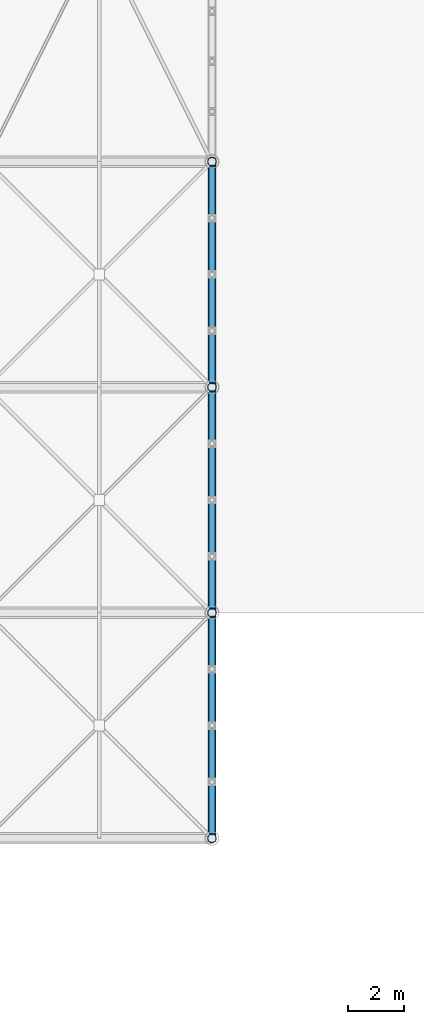
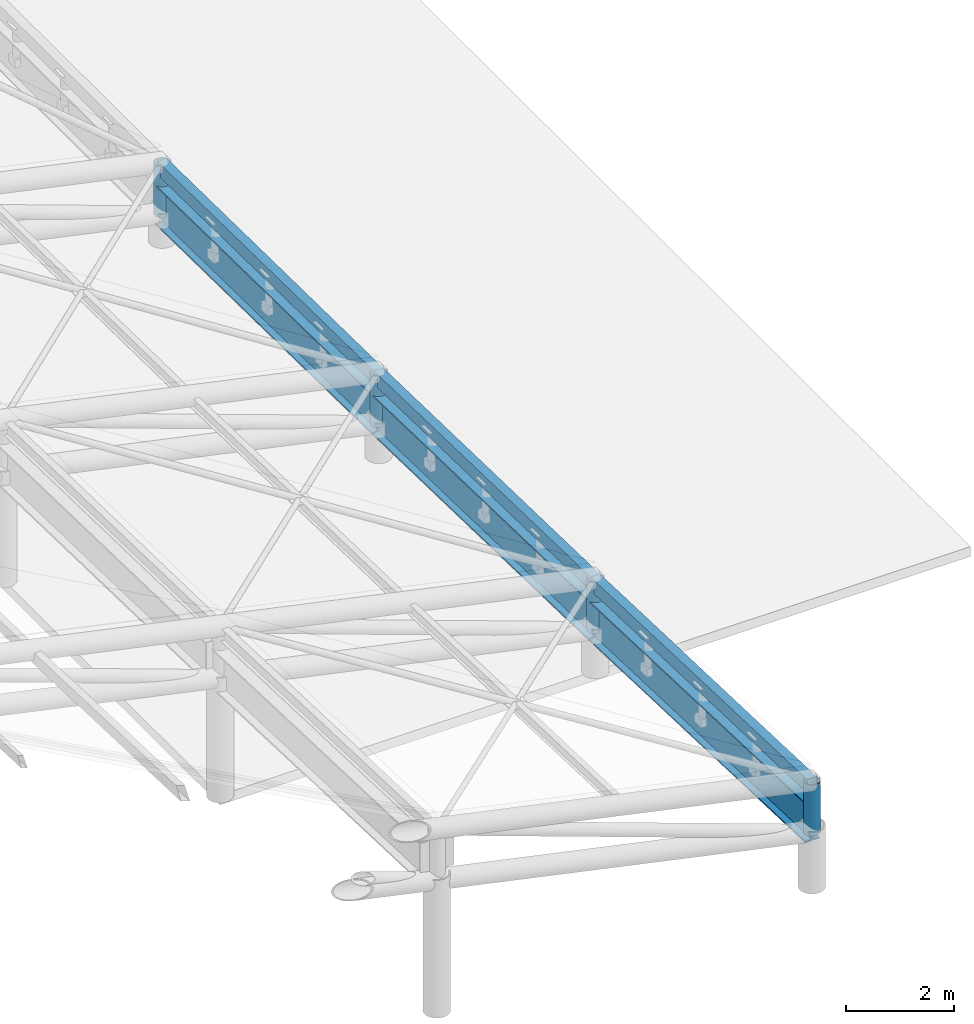
# One storey, part 18 of 41: 6 beams, 4 members.
"""IFC4 building model written with IfcOpenShell, lengths in metres."""

from ifc_helpers import new_model, si_unit, direction, frame, origin, origin_2d, place, context, subcontext, project, spatial, hollow_rectangle, hollow_circle, i_section, extrude, material, material_profile, profile_set, type_object, element, save


model = new_model("IFC4")

# Units and contexts
model_context = context("Model", 3, precision=1e-05, world=origin(), true_north=direction((0.0, 1.0)))
body_context = subcontext(model_context, "Body", "Model", "MODEL_VIEW")
ifc_project = project(units=[si_unit("LENGTHUNIT", "METRE"), si_unit("AREAUNIT", "SQUARE_METRE"), si_unit("VOLUMEUNIT", "CUBIC_METRE"), si_unit("PLANEANGLEUNIT", "RADIAN"), si_unit("MASSUNIT", "GRAM", prefix="KILO")], contexts=[model_context])

# Site, building, storey
site_placement = place(None, origin())
site = spatial("IfcSite", under=ifc_project, at=site_placement, CompositionType="ELEMENT")
building_placement = place(site_placement, origin())
building = spatial("IfcBuilding", under=site, at=building_placement, Name="Haebicheon Civic Stadium", CompositionType="ELEMENT")
storey_placement = place(building_placement, frame((0.0, 0.0, 27.0)))
storey = spatial("IfcBuildingStorey", under=building, at=storey_placement, Name="L07", CompositionType="ELEMENT", Elevation=27.0)

# Beams
ifc_material_1 = material(Name="White painted steel SM490", Category="steel")
ifc_material_profile_1 = material_profile(ifc_material_1, i_section(OverallWidth=0.300048828125, OverallDepth=0.89990234375, WebThickness=0.01611328125, FlangeThickness=0.028076171875, at=origin_2d()), Name="H-900x300x16x28")
ifc_profile_set_1 = profile_set([ifc_material_profile_1], Name="White painted steel SM490")
beam_type_1 = type_object("IfcBeamType", Name="RB-ST-H900B", PredefinedType="USERDEFINED", material=ifc_profile_set_1)
beam_1_placement = place(storey_placement, frame((152.0, 48.0, 1.487060546875), z_axis=(0.0, 0.999347848438, -0.03610924843), x_axis=(-1.0, 0.0, 0.0)))
element("IfcBeam", 1, at=beam_1_placement, inside=storey, type_object=beam_type_1, material=ifc_profile_set_1, Name="CAN-EAST polygonal ring beam RB-BCK bay 1", ObjectType="RING BEAM", PredefinedType="USERDEFINED", context=body_context, shape_type="SweptSolid", body=[
    extrude(i_section(OverallWidth=0.300048828125, OverallDepth=0.89990234375, WebThickness=0.01611328125, FlangeThickness=0.028076171875, at=origin_2d()), origin(), (0.0, 0.0, 1.0), 8.005126953125),
])
beam_2_placement = place(storey_placement, frame((152.0, 56.0, 1.197998046875), z_axis=(0.0, 0.999668457655, -0.025748296456), x_axis=(-1.0, 0.0, 0.0)))
element("IfcBeam", 2, at=beam_2_placement, inside=storey, type_object=beam_type_1, material=ifc_profile_set_1, Name="CAN-EAST polygonal ring beam RB-BCK bay 2", ObjectType="RING BEAM", PredefinedType="USERDEFINED", context=body_context, shape_type="SweptSolid", body=[
    extrude(i_section(OverallWidth=0.300048828125, OverallDepth=0.89990234375, WebThickness=0.01611328125, FlangeThickness=0.028076171875, at=origin_2d()), origin(), (0.0, 0.0, 1.0), 8.002685546875),
])
beam_3_placement = place(storey_placement, frame((152.0, 64.0, 0.991943359375), z_axis=(0.0, 0.999879851243, -0.01550106703), x_axis=(-1.0, 0.0, 0.0)))
element("IfcBeam", 3, at=beam_3_placement, inside=storey, type_object=beam_type_1, material=ifc_profile_set_1, Name="CAN-EAST polygonal ring beam RB-BCK bay 3", ObjectType="RING BEAM", PredefinedType="USERDEFINED", context=body_context, shape_type="SweptSolid", body=[
    extrude(i_section(OverallWidth=0.300048828125, OverallDepth=0.89990234375, WebThickness=0.01611328125, FlangeThickness=0.028076171875, at=origin_2d()), origin(), (0.0, 0.0, 1.0), 8.0009765625),
])
ifc_material_2 = material(Name="White painted steel SM490", Category="steel")
ifc_material_profile_2 = material_profile(ifc_material_2, hollow_rectangle(XDim=0.199951171875, YDim=0.300048828125, WallThickness=0.011962890625, at=origin_2d()), Name="RHS-300x200x12.0")
ifc_profile_set_2 = profile_set([ifc_material_profile_2], Name="White painted steel SM490")
beam_type_2 = type_object("IfcBeamType", Name="RB-ST-RHS300", PredefinedType="USERDEFINED", material=ifc_profile_set_2)
beam_4_placement = place(storey_placement, frame((152.0, 48.0, 2.287109375), z_axis=(0.0, 0.999347848438, -0.03610924843), x_axis=(-1.0, 0.0, 0.0)))
element("IfcBeam", 4, at=beam_4_placement, inside=storey, type_object=beam_type_2, material=ifc_profile_set_2, Name="CAN-EAST polygonal ring beam RB-TOP bay 1", ObjectType="RING BEAM", PredefinedType="USERDEFINED", context=body_context, shape_type="SweptSolid", body=[
    extrude(hollow_rectangle(XDim=0.199951171875, YDim=0.300048828125, WallThickness=0.011962890625, at=origin_2d()), origin(), (0.0, 0.0, 1.0), 8.005126953125),
])
beam_5_placement = place(storey_placement, frame((152.0, 56.0, 1.998046875), z_axis=(0.0, 0.999668457655, -0.025748296456), x_axis=(-1.0, 0.0, 0.0)))
element("IfcBeam", 5, at=beam_5_placement, inside=storey, type_object=beam_type_2, material=ifc_profile_set_2, Name="CAN-EAST polygonal ring beam RB-TOP bay 2", ObjectType="RING BEAM", PredefinedType="USERDEFINED", context=body_context, shape_type="SweptSolid", body=[
    extrude(hollow_rectangle(XDim=0.199951171875, YDim=0.300048828125, WallThickness=0.011962890625, at=origin_2d()), origin(), (0.0, 0.0, 1.0), 8.002685546875),
])
beam_6_placement = place(storey_placement, frame((152.0, 64.0, 1.7919921875), z_axis=(0.0, 0.999879851243, -0.01550106703), x_axis=(-1.0, 0.0, 0.0)))
element("IfcBeam", 6, at=beam_6_placement, inside=storey, type_object=beam_type_2, material=ifc_profile_set_2, Name="CAN-EAST polygonal ring beam RB-TOP bay 3", ObjectType="RING BEAM", PredefinedType="USERDEFINED", context=body_context, shape_type="SweptSolid", body=[
    extrude(hollow_rectangle(XDim=0.199951171875, YDim=0.300048828125, WallThickness=0.011962890625, at=origin_2d()), origin(), (0.0, 0.0, 1.0), 8.0009765625),
])

# Members
ifc_material_3 = material(Name="White painted steel SM490", Category="steel")
ifc_material_profile_3 = material_profile(ifc_material_3, hollow_circle(Radius=0.1591796875, WallThickness=0.013916015625, at=origin_2d()), Name="CHS-318.5x14.0")
ifc_profile_set_3 = profile_set([ifc_material_profile_3], Name="White painted steel SM490")
member_type = type_object("IfcMemberType", Name="STR-CHS318", PredefinedType="STRUT", material=ifc_profile_set_3)
for number, where, z_axis, x_axis, name in (
    (7, (152.0, 48.0, 1.237060546875), (0.0, 0.0, 1.0), (1.0, 0.0, 0.0), "ST318 web strut CAN-EAST truss 1 VB"),
    (8, (152.0, 56.0, 0.947998046875), (0.0, 0.0, 1.0), (1.0, 0.0, 0.0), "ST318 web strut CAN-EAST truss 2 VB"),
):
    element("IfcMember", number, at=place(storey_placement, frame(where, z_axis=z_axis, x_axis=x_axis)), inside=storey, type_object=member_type, material=ifc_profile_set_3, Name=name, PredefinedType="STRUT", context=body_context, shape_type="SweptSolid", body=[
        extrude(hollow_circle(Radius=0.1591796875, WallThickness=0.013916015625, at=origin_2d()), origin(), (0.0, 0.0, 1.0), 1.14990234375),
    ])
for number, where, z_axis, x_axis, name in (
    (9, (152.0, 64.0, 0.741943359375), (0.0, 0.0, 1.0), (1.0, 0.0, 0.0), "ST318 web strut CAN-EAST truss 3 VB"),
    (10, (152.0, 72.0, 0.617919921875), (0.0, 0.0, 1.0), (1.0, 0.0, 0.0), "ST318 web strut CAN-EAST truss 4 VB"),
):
    element("IfcMember", number, at=place(storey_placement, frame(where, z_axis=z_axis, x_axis=x_axis)), inside=storey, type_object=member_type, material=ifc_profile_set_3, Name=name, PredefinedType="STRUT", context=body_context, shape_type="SweptSolid", body=[
        extrude(hollow_circle(Radius=0.1591796875, WallThickness=0.013916015625, at=origin_2d()), origin(), (0.0, 0.0, 1.0), 1.150146484375),
    ])

save(model, "model.ifc")
